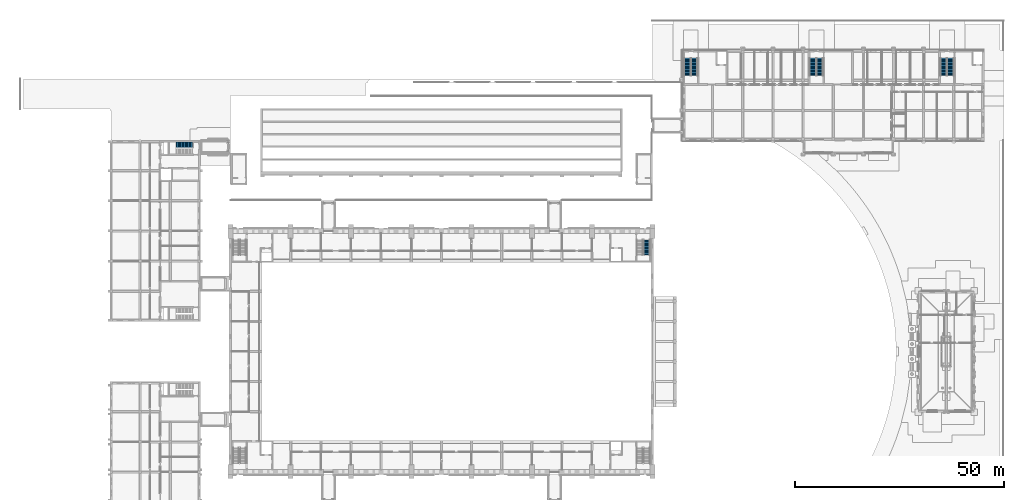
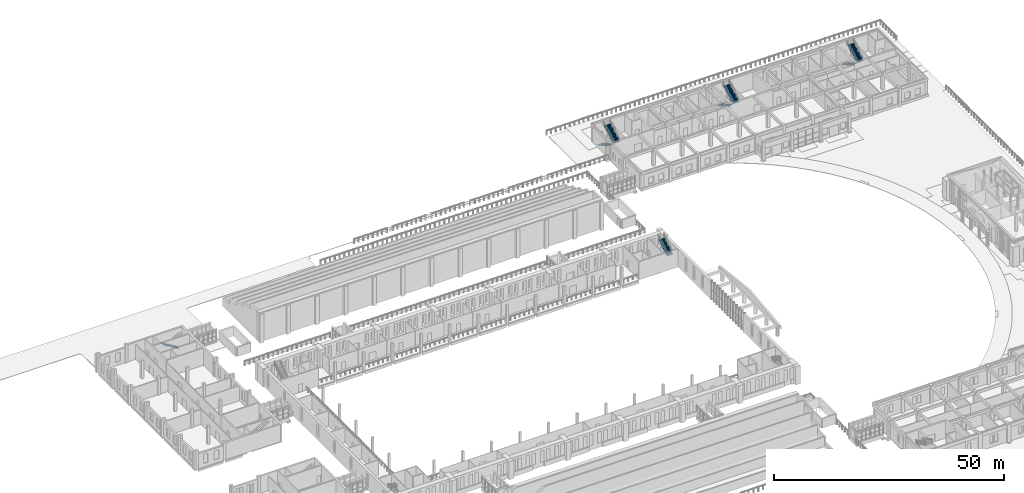
# One storey, part 104 of 131: 8 stair flights, 5 elements without a shape of their own.
"""IFC4 building model written with IfcOpenShell, lengths in metres."""

from ifc_helpers import new_model, si_unit, direction, frame, origin, place, context, subcontext, project, spatial, polyline, outline, extrude, material, type_object, element, aggregate, save


model = new_model("IFC4")

# Units and contexts
model_context = context("Model", 3, precision=1e-05, world=origin(), true_north=direction((0.0, 1.0)))
body_context = subcontext(model_context, "Body", "Model", "MODEL_VIEW")
ifc_project = project(units=[si_unit("LENGTHUNIT", "METRE"), si_unit("AREAUNIT", "SQUARE_METRE"), si_unit("VOLUMEUNIT", "CUBIC_METRE"), si_unit("PLANEANGLEUNIT", "RADIAN"), si_unit("MASSUNIT", "GRAM", prefix="KILO")], contexts=[model_context])

# Site, building, storey
site_placement = place(None, origin())
site = spatial("IfcSite", under=ifc_project, at=site_placement, CompositionType="ELEMENT")
building_placement = place(site_placement, origin())
building = spatial("IfcBuilding", under=site, at=building_placement, Name="Alderwick Market Hall", CompositionType="ELEMENT")
storey_placement = place(building_placement, frame((0.0, 0.0, 4.800048828125)))
storey = spatial("IfcBuildingStorey", under=building, at=storey_placement, Name="L00", CompositionType="ELEMENT", Elevation=4.800048828125)

# Stair, stair flight
ifc_material = material(Name="Concrete 5000 psi (f'c 35 MPa)", Category="concrete")
stair_type_1 = type_object("IfcStairType", Name="B Exit Stair 1300", PredefinedType="TWO_STRAIGHT_RUN_STAIR", material=ifc_material)
stair_1_placement = place(storey_placement, origin())
stair_1 = element("IfcStair", 1, at=stair_1_placement, inside=storey, type_object=stair_type_1, Name="Stair N-1 L00", PredefinedType="TWO_STRAIGHT_RUN_STAIR")
stair_flight_type_1 = type_object("IfcStairFlightType", Name="B Stair Flight 1300", PredefinedType="STRAIGHT", material=ifc_material)
stair_flight_1_placement = place(storey_placement, frame((41.300048828125, 128.550048828125, 0.0), z_axis=(0.0, 0.0, 1.0), x_axis=(-1.0, 0.0, 0.0)))
stair_flight_1 = element("IfcStairFlight", 2, at=stair_flight_1_placement, type_object=stair_flight_type_1, Name="B-ST-N-1-L00 flight 1", NumberOfRisers=15, NumberOfTreads=14, PredefinedType="STRAIGHT", RiserHeight=0.16, TreadLength=0.28, context=body_context, shape_type="SweptSolid", body=[
    extrude(outline(polyline([(0.00537109375, -0.009521484375), (0.0, 0.0), (0.0, 0.159912109375), (0.280029296875, 0.159912109375), (0.280029296875, 0.320068359375), (0.56005859375, 0.320068359375), (0.56005859375, 0.47998046875), (0.840087890625, 0.47998046875), (0.840087890625, 0.639892578125), (1.1201171875, 0.639892578125), (1.1201171875, 0.800048828125), (1.39990234375, 0.800048828125), (1.39990234375, 0.9599609375), (1.679931640625, 0.9599609375), (1.679931640625, 1.1201171875), (1.9599609375, 1.1201171875), (1.9599609375, 1.280029296875), (2.239990234375, 1.280029296875), (2.239990234375, 1.43994140625), (2.52001953125, 1.43994140625), (2.52001953125, 1.60009765625), (2.800048828125, 1.60009765625), (2.800048828125, 1.760009765625), (3.080078125, 1.760009765625), (3.080078125, 1.919921875), (3.360107421875, 1.919921875), (3.360107421875, 2.080078125), (3.639892578125, 2.080078125), (3.639892578125, 2.239990234375), (3.919921875, 2.239990234375), (3.919921875, 2.227294921875), (0.00537109375, -0.009521484375)])), frame((0.0, 0.64990234375, 0.0), z_axis=(0.0, -1.0, 0.0), x_axis=(1.0, 0.0, 0.0)), (0.0, 0.0, 1.0), 1.300048828125),
])
aggregate(stair_1, [stair_flight_1])

# Stair, stair flights
stair_type_2 = type_object("IfcStairType", Name="F Exit Stair 1600", PredefinedType="HALF_TURN_STAIR", material=ifc_material)
stair_2_placement = place(storey_placement, origin())
stair_2 = element("IfcStair", 3, at=stair_2_placement, inside=storey, type_object=stair_type_2, Name="F.stair.L00.A", PredefinedType="HALF_TURN_STAIR")
stair_flight_type_2 = type_object("IfcStairFlightType", Name="F Stair Flight 1600", PredefinedType="STRAIGHT", material=ifc_material)
stair_flight_2_placement = place(storey_placement, frame((159.60009765625, 149.300048828125, 0.0), z_axis=(0.0, 0.0, 1.0), x_axis=(0.0, -1.0, 0.0)))
stair_flight_2 = element("IfcStairFlight", 4, at=stair_flight_2_placement, type_object=stair_flight_type_2, Name="F-ST-A-L00 flight 1", NumberOfRisers=16, NumberOfTreads=15, PredefinedType="STRAIGHT", RiserHeight=0.15, TreadLength=0.28, context=body_context, shape_type="SweptSolid", body=[
    extrude(outline(polyline([(0.00830078125, -0.015625), (0.0, 0.0), (0.0, 0.14990234375), (0.280029296875, 0.14990234375), (0.280029296875, 0.300048828125), (0.56005859375, 0.300048828125), (0.56005859375, 0.449951171875), (0.840087890625, 0.449951171875), (0.840087890625, 0.60009765625), (1.1201171875, 0.60009765625), (1.1201171875, 0.75), (1.39990234375, 0.75), (1.39990234375, 0.89990234375), (1.679931640625, 0.89990234375), (1.679931640625, 1.050048828125), (1.9599609375, 1.050048828125), (1.9599609375, 1.199951171875), (2.239990234375, 1.199951171875), (2.239990234375, 1.35009765625), (2.52001953125, 1.35009765625), (2.52001953125, 1.5), (2.800048828125, 1.5), (2.800048828125, 1.64990234375), (3.080078125, 1.64990234375), (3.080078125, 1.800048828125), (3.360107421875, 1.800048828125), (3.360107421875, 1.949951171875), (3.639892578125, 1.949951171875), (3.639892578125, 2.10009765625), (3.919921875, 2.10009765625), (3.919921875, 2.25), (4.199951171875, 2.25), (4.199951171875, 2.22998046875), (0.00830078125, -0.015625)])), frame((0.0, 0.800048828125, 0.0), z_axis=(0.0, -1.0, 0.0), x_axis=(1.0, 0.0, 0.0)), (0.0, 0.0, 1.0), 1.60009765625),
])
stair_flight_3_placement = place(storey_placement, frame((161.199951171875, 145.10009765625, 2.39990234375), z_axis=(0.0, 0.0, 1.0), x_axis=(0.0, 1.0, 0.0)))
stair_flight_3 = element("IfcStairFlight", 5, at=stair_flight_3_placement, type_object=stair_flight_type_2, Name="F-ST-A-L00 flight 2", NumberOfRisers=16, NumberOfTreads=15, PredefinedType="STRAIGHT", RiserHeight=0.15, TreadLength=0.28, context=body_context, shape_type="SweptSolid", body=[
    extrude(outline(polyline([(0.00830078125, -0.015625), (0.0, 0.0), (0.0, 0.14990234375), (0.280029296875, 0.14990234375), (0.280029296875, 0.300048828125), (0.56005859375, 0.300048828125), (0.56005859375, 0.449951171875), (0.840087890625, 0.449951171875), (0.840087890625, 0.60009765625), (1.1201171875, 0.60009765625), (1.1201171875, 0.75), (1.39990234375, 0.75), (1.39990234375, 0.89990234375), (1.679931640625, 0.89990234375), (1.679931640625, 1.050048828125), (1.9599609375, 1.050048828125), (1.9599609375, 1.199951171875), (2.239990234375, 1.199951171875), (2.239990234375, 1.35009765625), (2.52001953125, 1.35009765625), (2.52001953125, 1.5), (2.800048828125, 1.5), (2.800048828125, 1.64990234375), (3.080078125, 1.64990234375), (3.080078125, 1.800048828125), (3.360107421875, 1.800048828125), (3.360107421875, 1.949951171875), (3.639892578125, 1.949951171875), (3.639892578125, 2.10009765625), (3.919921875, 2.10009765625), (3.919921875, 2.25), (4.199951171875, 2.25), (4.199951171875, 2.22998046875), (0.00830078125, -0.015625)])), frame((0.0, 0.800048828125, 0.0), z_axis=(0.0, -1.0, 0.0), x_axis=(1.0, 0.0, 0.0)), (0.0, 0.0, 1.0), 1.60009765625),
])
aggregate(stair_2, [stair_flight_2, stair_flight_3])

stair_3_placement = place(storey_placement, origin())
stair_3 = element("IfcStair", 6, at=stair_3_placement, inside=storey, type_object=stair_type_2, Name="F.stair.L00.B", PredefinedType="HALF_TURN_STAIR")
stair_flight_4_placement = place(storey_placement, frame((189.60009765625, 149.300048828125, 0.0), z_axis=(0.0, 0.0, 1.0), x_axis=(0.0, -1.0, 0.0)))
stair_flight_4 = element("IfcStairFlight", 7, at=stair_flight_4_placement, type_object=stair_flight_type_2, Name="F-ST-B-L00 flight 1", NumberOfRisers=16, NumberOfTreads=15, PredefinedType="STRAIGHT", RiserHeight=0.15, TreadLength=0.28, context=body_context, shape_type="SweptSolid", body=[
    extrude(outline(polyline([(0.00830078125, -0.015625), (0.0, 0.0), (0.0, 0.14990234375), (0.280029296875, 0.14990234375), (0.280029296875, 0.300048828125), (0.56005859375, 0.300048828125), (0.56005859375, 0.449951171875), (0.840087890625, 0.449951171875), (0.840087890625, 0.60009765625), (1.1201171875, 0.60009765625), (1.1201171875, 0.75), (1.39990234375, 0.75), (1.39990234375, 0.89990234375), (1.679931640625, 0.89990234375), (1.679931640625, 1.050048828125), (1.9599609375, 1.050048828125), (1.9599609375, 1.199951171875), (2.239990234375, 1.199951171875), (2.239990234375, 1.35009765625), (2.52001953125, 1.35009765625), (2.52001953125, 1.5), (2.800048828125, 1.5), (2.800048828125, 1.64990234375), (3.080078125, 1.64990234375), (3.080078125, 1.800048828125), (3.360107421875, 1.800048828125), (3.360107421875, 1.949951171875), (3.639892578125, 1.949951171875), (3.639892578125, 2.10009765625), (3.919921875, 2.10009765625), (3.919921875, 2.25), (4.199951171875, 2.25), (4.199951171875, 2.22998046875), (0.00830078125, -0.015625)])), frame((0.0, 0.800048828125, 0.0), z_axis=(0.0, -1.0, 0.0), x_axis=(1.0, 0.0, 0.0)), (0.0, 0.0, 1.0), 1.60009765625),
])
stair_flight_5_placement = place(storey_placement, frame((191.199951171875, 145.10009765625, 2.39990234375), z_axis=(0.0, 0.0, 1.0), x_axis=(0.0, 1.0, 0.0)))
stair_flight_5 = element("IfcStairFlight", 8, at=stair_flight_5_placement, type_object=stair_flight_type_2, Name="F-ST-B-L00 flight 2", NumberOfRisers=16, NumberOfTreads=15, PredefinedType="STRAIGHT", RiserHeight=0.15, TreadLength=0.28, context=body_context, shape_type="SweptSolid", body=[
    extrude(outline(polyline([(0.00830078125, -0.015625), (0.0, 0.0), (0.0, 0.14990234375), (0.280029296875, 0.14990234375), (0.280029296875, 0.300048828125), (0.56005859375, 0.300048828125), (0.56005859375, 0.449951171875), (0.840087890625, 0.449951171875), (0.840087890625, 0.60009765625), (1.1201171875, 0.60009765625), (1.1201171875, 0.75), (1.39990234375, 0.75), (1.39990234375, 0.89990234375), (1.679931640625, 0.89990234375), (1.679931640625, 1.050048828125), (1.9599609375, 1.050048828125), (1.9599609375, 1.199951171875), (2.239990234375, 1.199951171875), (2.239990234375, 1.35009765625), (2.52001953125, 1.35009765625), (2.52001953125, 1.5), (2.800048828125, 1.5), (2.800048828125, 1.64990234375), (3.080078125, 1.64990234375), (3.080078125, 1.800048828125), (3.360107421875, 1.800048828125), (3.360107421875, 1.949951171875), (3.639892578125, 1.949951171875), (3.639892578125, 2.10009765625), (3.919921875, 2.10009765625), (3.919921875, 2.25), (4.199951171875, 2.25), (4.199951171875, 2.22998046875), (0.00830078125, -0.015625)])), frame((0.0, 0.800048828125, 0.0), z_axis=(0.0, -1.0, 0.0), x_axis=(1.0, 0.0, 0.0)), (0.0, 0.0, 1.0), 1.60009765625),
])
aggregate(stair_3, [stair_flight_4, stair_flight_5])

stair_4_placement = place(storey_placement, origin())
stair_4 = element("IfcStair", 9, at=stair_4_placement, inside=storey, type_object=stair_type_2, Name="F.stair.L00.C", PredefinedType="HALF_TURN_STAIR")
stair_flight_6_placement = place(storey_placement, frame((220.800048828125, 149.300048828125, 0.0), z_axis=(0.0, 0.0, 1.0), x_axis=(0.0, -1.0, 0.0)))
stair_flight_6 = element("IfcStairFlight", 10, at=stair_flight_6_placement, type_object=stair_flight_type_2, Name="F-ST-C-L00 flight 1", NumberOfRisers=16, NumberOfTreads=15, PredefinedType="STRAIGHT", RiserHeight=0.15, TreadLength=0.28, context=body_context, shape_type="SweptSolid", body=[
    extrude(outline(polyline([(0.00830078125, -0.015625), (0.0, 0.0), (0.0, 0.14990234375), (0.280029296875, 0.14990234375), (0.280029296875, 0.300048828125), (0.56005859375, 0.300048828125), (0.56005859375, 0.449951171875), (0.840087890625, 0.449951171875), (0.840087890625, 0.60009765625), (1.1201171875, 0.60009765625), (1.1201171875, 0.75), (1.39990234375, 0.75), (1.39990234375, 0.89990234375), (1.679931640625, 0.89990234375), (1.679931640625, 1.050048828125), (1.9599609375, 1.050048828125), (1.9599609375, 1.199951171875), (2.239990234375, 1.199951171875), (2.239990234375, 1.35009765625), (2.52001953125, 1.35009765625), (2.52001953125, 1.5), (2.800048828125, 1.5), (2.800048828125, 1.64990234375), (3.080078125, 1.64990234375), (3.080078125, 1.800048828125), (3.360107421875, 1.800048828125), (3.360107421875, 1.949951171875), (3.639892578125, 1.949951171875), (3.639892578125, 2.10009765625), (3.919921875, 2.10009765625), (3.919921875, 2.25), (4.199951171875, 2.25), (4.199951171875, 2.22998046875), (0.00830078125, -0.015625)])), frame((0.0, 0.800048828125, 0.0), z_axis=(0.0, -1.0, 0.0), x_axis=(1.0, 0.0, 0.0)), (0.0, 0.0, 1.0), 1.60009765625),
])
stair_flight_7_placement = place(storey_placement, frame((222.39990234375, 145.10009765625, 2.39990234375), z_axis=(0.0, 0.0, 1.0), x_axis=(0.0, 1.0, 0.0)))
stair_flight_7 = element("IfcStairFlight", 11, at=stair_flight_7_placement, type_object=stair_flight_type_2, Name="F-ST-C-L00 flight 2", NumberOfRisers=16, NumberOfTreads=15, PredefinedType="STRAIGHT", RiserHeight=0.15, TreadLength=0.28, context=body_context, shape_type="SweptSolid", body=[
    extrude(outline(polyline([(0.00830078125, -0.015625), (0.0, 0.0), (0.0, 0.14990234375), (0.280029296875, 0.14990234375), (0.280029296875, 0.300048828125), (0.56005859375, 0.300048828125), (0.56005859375, 0.449951171875), (0.840087890625, 0.449951171875), (0.840087890625, 0.60009765625), (1.1201171875, 0.60009765625), (1.1201171875, 0.75), (1.39990234375, 0.75), (1.39990234375, 0.89990234375), (1.679931640625, 0.89990234375), (1.679931640625, 1.050048828125), (1.9599609375, 1.050048828125), (1.9599609375, 1.199951171875), (2.239990234375, 1.199951171875), (2.239990234375, 1.35009765625), (2.52001953125, 1.35009765625), (2.52001953125, 1.5), (2.800048828125, 1.5), (2.800048828125, 1.64990234375), (3.080078125, 1.64990234375), (3.080078125, 1.800048828125), (3.360107421875, 1.800048828125), (3.360107421875, 1.949951171875), (3.639892578125, 1.949951171875), (3.639892578125, 2.10009765625), (3.919921875, 2.10009765625), (3.919921875, 2.25), (4.199951171875, 2.25), (4.199951171875, 2.22998046875), (0.00830078125, -0.015625)])), frame((0.0, 0.800048828125, 0.0), z_axis=(0.0, -1.0, 0.0), x_axis=(1.0, 0.0, 0.0)), (0.0, 0.0, 1.0), 1.60009765625),
])
aggregate(stair_4, [stair_flight_6, stair_flight_7])

# Stair, stair flight
stair_type_3 = type_object("IfcStairType", Name="H Stair 1500", PredefinedType="HALF_TURN_STAIR", material=ifc_material)
stair_5_placement = place(storey_placement, origin())
stair_5 = element("IfcStair", 12, at=stair_5_placement, inside=storey, type_object=stair_type_3, Name="L00 Exit stair H-NE", PredefinedType="HALF_TURN_STAIR")
stair_flight_type_3 = type_object("IfcStairFlightType", Name="H Stair flight 1500", PredefinedType="STRAIGHT", material=ifc_material)
stair_flight_8_placement = place(storey_placement, frame((149.85009765625, 102.260009765625, 2.39990234375), z_axis=(0.0, 0.0, 1.0), x_axis=(0.0, 1.0, 0.0)))
stair_flight_8 = element("IfcStairFlight", 13, at=stair_flight_8_placement, type_object=stair_flight_type_3, Name="H-NE flight 2", NumberOfRisers=14, NumberOfTreads=13, PredefinedType="STRAIGHT", RiserHeight=0.171428571, TreadLength=0.28, context=body_context, shape_type="SweptSolid", body=[
    extrude(outline(polyline([(0.001953125, -0.003173828125), (0.0, 0.0), (0.0, 0.17138671875), (0.280029296875, 0.17138671875), (0.280029296875, 0.3427734375), (0.56005859375, 0.3427734375), (0.56005859375, 0.514404296875), (0.840087890625, 0.514404296875), (0.840087890625, 0.685791015625), (1.1201171875, 0.685791015625), (1.1201171875, 0.857177734375), (1.39990234375, 0.857177734375), (1.39990234375, 1.028564453125), (1.679931640625, 1.028564453125), (1.679931640625, 1.199951171875), (1.9599609375, 1.199951171875), (1.9599609375, 1.371337890625), (2.239990234375, 1.371337890625), (2.239990234375, 1.54296875), (2.52001953125, 1.54296875), (2.52001953125, 1.71435546875), (2.800048828125, 1.71435546875), (2.800048828125, 1.8857421875), (3.080078125, 1.8857421875), (3.080078125, 2.05712890625), (3.360107421875, 2.05712890625), (3.360107421875, 2.228515625), (3.639892578125, 2.228515625), (3.639892578125, 2.22412109375), (0.001953125, -0.003173828125)])), frame((0.0, 0.75, 0.0), z_axis=(0.0, -1.0, 0.0), x_axis=(1.0, 0.0, 0.0)), (0.0, 0.0, 1.0), 1.5),
])
aggregate(stair_5, [stair_flight_8])

save(model, "model.ifc")
